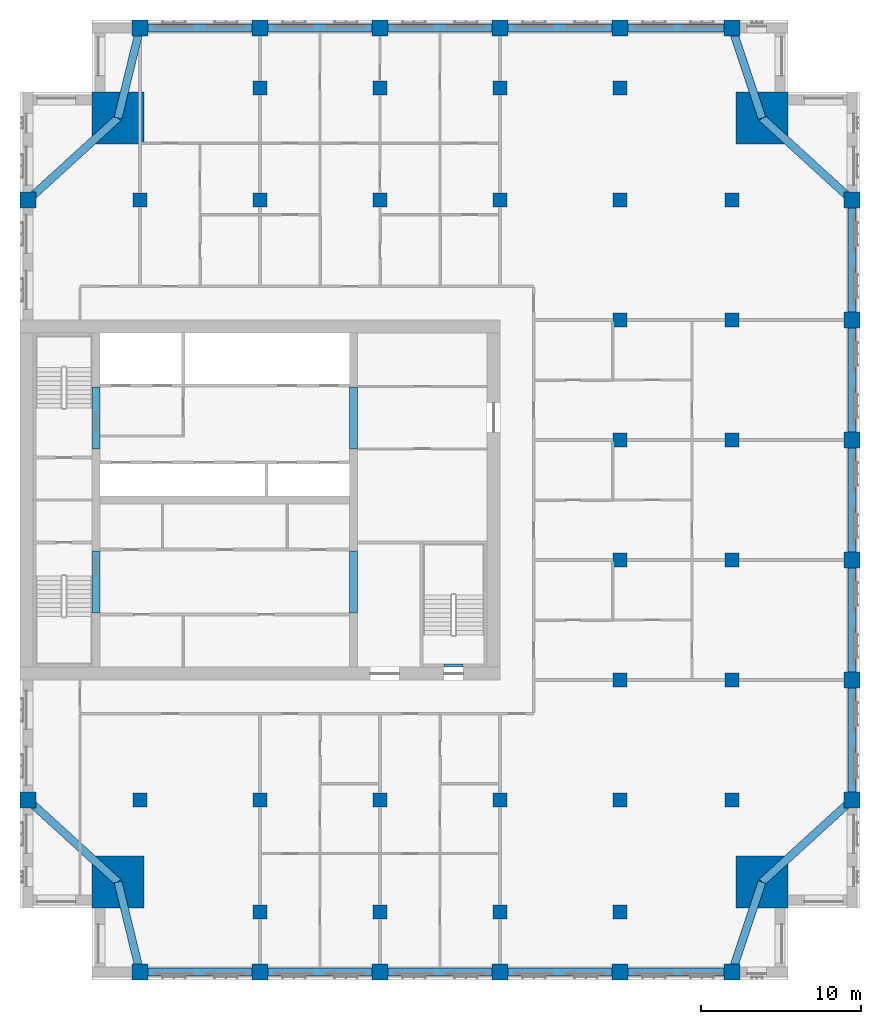
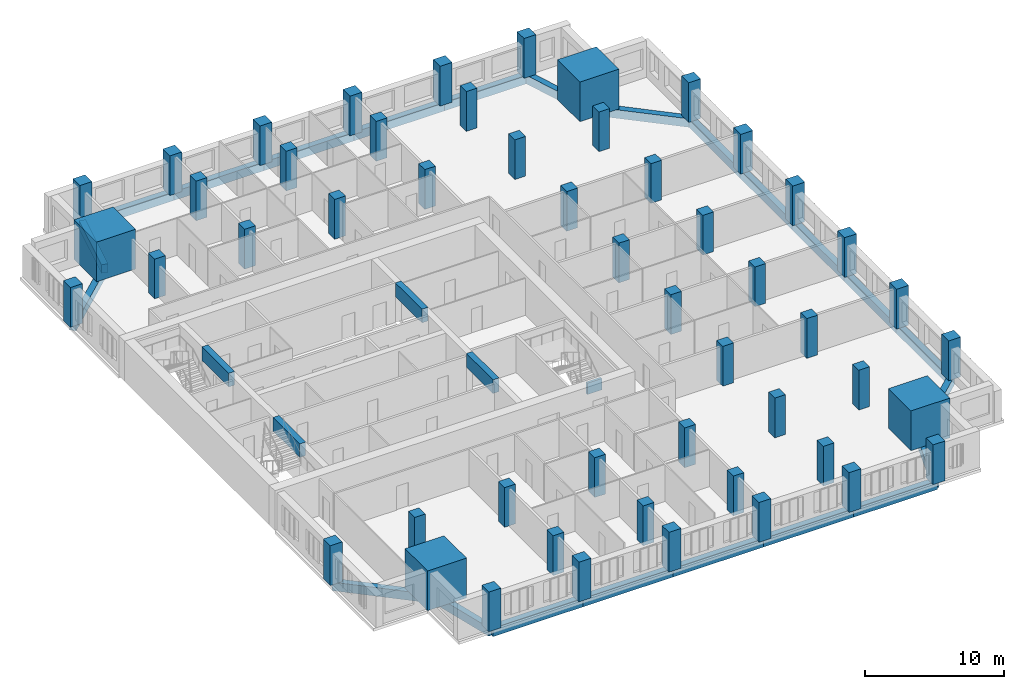
# One storey, part 1 of 14: 52 columns, 28 beams.
"""IFC4 building model written with IfcOpenShell, lengths in metres."""

from ifc_helpers import new_model, si_unit, direction, frame, origin, origin_2d, place, context, subcontext, project, spatial, rectangle, extrude, material, material_profile, profile_set, type_object, element, save


model = new_model("IFC4")

# Units and contexts
model_context = context("Model", 3, precision=1e-05, world=origin(), true_north=direction((0.0, 1.0)))
body_context = subcontext(model_context, "Body", "Model", "MODEL_VIEW")
ifc_project = project(units=[si_unit("LENGTHUNIT", "METRE"), si_unit("AREAUNIT", "SQUARE_METRE"), si_unit("VOLUMEUNIT", "CUBIC_METRE"), si_unit("PLANEANGLEUNIT", "RADIAN"), si_unit("MASSUNIT", "GRAM", prefix="KILO")], contexts=[model_context])

# Site, building, storey
site_placement = place(None, origin())
site = spatial("IfcSite", under=ifc_project, at=site_placement, CompositionType="ELEMENT")
building_placement = place(site_placement, origin())
building = spatial("IfcBuilding", under=site, at=building_placement, Name="Tamorin Gate", CompositionType="ELEMENT")
storey_placement = place(building_placement, frame((0.0, 0.0, 189.699951171875)))
storey = spatial("IfcBuildingStorey", under=building, at=storey_placement, Name="L46", CompositionType="ELEMENT", Elevation=189.699951171875)

# Columns
ifc_material_1 = material(Name="Concrete C60/75", Category="concrete")
ifc_material_profile_1 = material_profile(ifc_material_1, rectangle(XDim=1.0, YDim=1.0, at=origin_2d()), Name="RC 1000x1000")
ifc_profile_set_1 = profile_set([ifc_material_profile_1], Name="Concrete C60/75")
column_type_1 = type_object("IfcColumnType", Name="RC column 1000x1000 C60/75", PredefinedType="COLUMN", material=ifc_profile_set_1)
for number, where, z_axis, x_axis, name in (
    (1, (37.5, 41.75, 0.0), (0.0, 0.0, 1.0), (1.0, 0.0, 0.0), "Ring column L46"),
    (2, (45.0, 41.75, 0.0), (0.0, 0.0, 1.0), (1.0, 0.0, 0.0), "Ring column L46"),
    (3, (52.5, 41.75, 0.0), (0.0, 0.0, 1.0), (1.0, 0.0, 0.0), "Ring column L46"),
    (4, (60.0, 41.75, 0.0), (0.0, 0.0, 1.0), (1.0, 0.0, 0.0), "Ring column L46"),
    (5, (67.5, 41.75, 0.0), (0.0, 0.0, 1.0), (1.0, 0.0, 0.0), "Ring column L46"),
    (6, (74.5, 41.75, 0.0), (0.0, 0.0, 1.0), (1.0, 0.0, 0.0), "Ring column L46"),
    (7, (37.5, 100.75, 0.0), (0.0, 0.0, 1.0), (1.0, 0.0, 0.0), "Ring column L46"),
    (8, (45.0, 100.75, 0.0), (0.0, 0.0, 1.0), (1.0, 0.0, 0.0), "Ring column L46"),
    (9, (52.5, 100.75, 0.0), (0.0, 0.0, 1.0), (1.0, 0.0, 0.0), "Ring column L46"),
    (10, (60.0, 100.75, 0.0), (0.0, 0.0, 1.0), (1.0, 0.0, 0.0), "Ring column L46"),
    (11, (67.5, 100.75, 0.0), (0.0, 0.0, 1.0), (1.0, 0.0, 0.0), "Ring column L46"),
    (12, (74.5, 100.75, 0.0), (0.0, 0.0, 1.0), (1.0, 0.0, 0.0), "Ring column L46"),
    (13, (30.5, 52.5, 0.0), (0.0, 0.0, 1.0), (1.0, 0.0, 0.0), "Ring column L46"),
    (14, (30.5, 90.0, 0.0), (0.0, 0.0, 1.0), (1.0, 0.0, 0.0), "Ring column L46"),
    (15, (82.0, 52.5, 0.0), (0.0, 0.0, 1.0), (1.0, 0.0, 0.0), "Ring column L46"),
    (16, (82.0, 60.0, 0.0), (0.0, 0.0, 1.0), (1.0, 0.0, 0.0), "Ring column L46"),
    (17, (82.0, 67.5, 0.0), (0.0, 0.0, 1.0), (1.0, 0.0, 0.0), "Ring column L46"),
    (18, (82.0, 75.0, 0.0), (0.0, 0.0, 1.0), (1.0, 0.0, 0.0), "Ring column L46"),
    (19, (82.0, 82.5, 0.0), (0.0, 0.0, 1.0), (1.0, 0.0, 0.0), "Ring column L46"),
    (20, (82.0, 90.0, 0.0), (0.0, 0.0, 1.0), (1.0, 0.0, 0.0), "Ring column L46"),
):
    element("IfcColumn", number, at=place(storey_placement, frame(where, z_axis=z_axis, x_axis=x_axis)), inside=storey, type_object=column_type_1, Name=name, PredefinedType="COLUMN", context=body_context, shape_type="SweptSolid", body=[
        extrude(rectangle(XDim=1.0, YDim=1.0, at=origin_2d()), origin(), (0.0, 0.0, 1.0), 3.5),
    ])
ifc_material_profile_2 = material_profile(ifc_material_1, rectangle(XDim=3.25, YDim=3.25, at=origin_2d()), Name="RC 3250x3250")
ifc_profile_set_2 = profile_set([ifc_material_profile_2], Name="Concrete C60/75")
column_type_2 = type_object("IfcColumnType", Name="RC column 3250x3250 C60/75", PredefinedType="COLUMN", material=ifc_profile_set_2)
for number, where, z_axis, x_axis, name in (
    (21, (36.125, 47.375, 0.0), (0.0, 0.0, 1.0), (1.0, 0.0, 0.0), "Mega column SW L46"),
    (22, (76.375, 47.375, 0.0), (0.0, 0.0, 1.0), (1.0, 0.0, 0.0), "Mega column SE L46"),
    (23, (36.125, 95.125, 0.0), (0.0, 0.0, 1.0), (1.0, 0.0, 0.0), "Mega column NW L46"),
    (24, (76.375, 95.125, 0.0), (0.0, 0.0, 1.0), (1.0, 0.0, 0.0), "Mega column NE L46"),
):
    element("IfcColumn", number, at=place(storey_placement, frame(where, z_axis=z_axis, x_axis=x_axis)), inside=storey, type_object=column_type_2, Name=name, PredefinedType="COLUMN", context=body_context, shape_type="SweptSolid", body=[
        extrude(rectangle(XDim=3.25, YDim=3.25, at=origin_2d()), origin(), (0.0, 0.0, 1.0), 3.5),
    ])
ifc_material_profile_3 = material_profile(ifc_material_1, rectangle(XDim=0.89990234375, YDim=0.89990234375, at=origin_2d()), Name="RC 900x900")
ifc_profile_set_3 = profile_set([ifc_material_profile_3], Name="Concrete C60/75")
column_type_3 = type_object("IfcColumnType", Name="RC column 900x900 C60/75", PredefinedType="COLUMN", material=ifc_profile_set_3)
for number, where, z_axis, x_axis, name in (
    (25, (37.5, 52.5, 0.0), (0.0, 0.0, 1.0), (1.0, 0.0, 0.0), "Interior column L46"),
    (26, (37.5, 90.0, 0.0), (0.0, 0.0, 1.0), (1.0, 0.0, 0.0), "Interior column L46"),
    (27, (45.0, 45.5, 0.0), (0.0, 0.0, 1.0), (1.0, 0.0, 0.0), "Interior column L46"),
    (28, (45.0, 52.5, 0.0), (0.0, 0.0, 1.0), (1.0, 0.0, 0.0), "Interior column L46"),
    (29, (45.0, 90.0, 0.0), (0.0, 0.0, 1.0), (1.0, 0.0, 0.0), "Interior column L46"),
    (30, (45.0, 97.0, 0.0), (0.0, 0.0, 1.0), (1.0, 0.0, 0.0), "Interior column L46"),
    (31, (52.5, 45.5, 0.0), (0.0, 0.0, 1.0), (1.0, 0.0, 0.0), "Interior column L46"),
    (32, (52.5, 52.5, 0.0), (0.0, 0.0, 1.0), (1.0, 0.0, 0.0), "Interior column L46"),
    (33, (52.5, 90.0, 0.0), (0.0, 0.0, 1.0), (1.0, 0.0, 0.0), "Interior column L46"),
    (34, (52.5, 97.0, 0.0), (0.0, 0.0, 1.0), (1.0, 0.0, 0.0), "Interior column L46"),
    (35, (60.0, 45.5, 0.0), (0.0, 0.0, 1.0), (1.0, 0.0, 0.0), "Interior column L46"),
    (36, (60.0, 52.5, 0.0), (0.0, 0.0, 1.0), (1.0, 0.0, 0.0), "Interior column L46"),
    (37, (60.0, 90.0, 0.0), (0.0, 0.0, 1.0), (1.0, 0.0, 0.0), "Interior column L46"),
    (38, (60.0, 97.0, 0.0), (0.0, 0.0, 1.0), (1.0, 0.0, 0.0), "Interior column L46"),
    (39, (67.5, 45.5, 0.0), (0.0, 0.0, 1.0), (1.0, 0.0, 0.0), "Interior column L46"),
    (40, (67.5, 52.5, 0.0), (0.0, 0.0, 1.0), (1.0, 0.0, 0.0), "Interior column L46"),
    (41, (67.5, 60.0, 0.0), (0.0, 0.0, 1.0), (1.0, 0.0, 0.0), "Interior column L46"),
    (42, (67.5, 67.5, 0.0), (0.0, 0.0, 1.0), (1.0, 0.0, 0.0), "Interior column L46"),
    (43, (67.5, 75.0, 0.0), (0.0, 0.0, 1.0), (1.0, 0.0, 0.0), "Interior column L46"),
    (44, (67.5, 82.5, 0.0), (0.0, 0.0, 1.0), (1.0, 0.0, 0.0), "Interior column L46"),
    (45, (67.5, 90.0, 0.0), (0.0, 0.0, 1.0), (1.0, 0.0, 0.0), "Interior column L46"),
    (46, (67.5, 97.0, 0.0), (0.0, 0.0, 1.0), (1.0, 0.0, 0.0), "Interior column L46"),
    (47, (74.5, 52.5, 0.0), (0.0, 0.0, 1.0), (1.0, 0.0, 0.0), "Interior column L46"),
    (48, (74.5, 60.0, 0.0), (0.0, 0.0, 1.0), (1.0, 0.0, 0.0), "Interior column L46"),
    (49, (74.5, 67.5, 0.0), (0.0, 0.0, 1.0), (1.0, 0.0, 0.0), "Interior column L46"),
    (50, (74.5, 75.0, 0.0), (0.0, 0.0, 1.0), (1.0, 0.0, 0.0), "Interior column L46"),
    (51, (74.5, 82.5, 0.0), (0.0, 0.0, 1.0), (1.0, 0.0, 0.0), "Interior column L46"),
    (52, (74.5, 90.0, 0.0), (0.0, 0.0, 1.0), (1.0, 0.0, 0.0), "Interior column L46"),
):
    element("IfcColumn", number, at=place(storey_placement, frame(where, z_axis=z_axis, x_axis=x_axis)), inside=storey, type_object=column_type_3, Name=name, PredefinedType="COLUMN", context=body_context, shape_type="SweptSolid", body=[
        extrude(rectangle(XDim=0.89990234375, YDim=0.89990234375, at=origin_2d()), origin(), (0.0, 0.0, 1.0), 3.5),
    ])

# Beams
ifc_material_profile_4 = material_profile(ifc_material_1, rectangle(XDim=0.5, YDim=1.199951171875, at=origin_2d()), Name="RC 500x1200")
ifc_profile_set_4 = profile_set([ifc_material_profile_4], Name="Concrete C60/75")
beam_type_1 = type_object("IfcBeamType", Name="RC coupling beam 500x1200 C60/75", PredefinedType="BEAM", material=ifc_profile_set_4)
for number, where, z_axis, x_axis, name in (
    (53, (34.75, 64.199951171875, 2.900146484375), (0.0, 1.0, 0.0), (-1.0, 0.0, 0.0), "Coupling beam L46"),
    (54, (34.75, 74.449951171875, 2.900146484375), (0.0, 1.0, 0.0), (-1.0, 0.0, 0.0), "Coupling beam L46"),
    (55, (50.85009765625, 64.199951171875, 2.900146484375), (0.0, 1.0, 0.0), (-1.0, 0.0, 0.0), "Coupling beam L46"),
    (56, (50.85009765625, 74.449951171875, 2.900146484375), (0.0, 1.0, 0.0), (-1.0, 0.0, 0.0), "Coupling beam L46"),
):
    element("IfcBeam", number, at=place(storey_placement, frame(where, z_axis=z_axis, x_axis=x_axis)), inside=storey, type_object=beam_type_1, Name=name, PredefinedType="BEAM", context=body_context, shape_type="SweptSolid", body=[
        extrude(rectangle(XDim=0.5, YDim=1.199951171875, at=origin_2d()), origin(), (0.0, 0.0, 1.0), 3.85009765625),
    ])
ifc_material_2 = material(Name="Concrete C50/60", Category="concrete")
ifc_material_profile_5 = material_profile(ifc_material_2, rectangle(XDim=0.5, YDim=0.75, at=origin_2d()), Name="RC 500x750")
ifc_profile_set_5 = profile_set([ifc_material_profile_5], Name="Concrete C50/60")
beam_type_2 = type_object("IfcBeamType", Name="RC spandrel 500x750 C50/60", PredefinedType="BEAM", material=ifc_profile_set_5)
for number, where, z_axis, x_axis, name in (
    (57, (37.5, 41.75, -0.375), (1.0, 0.0, 0.0), (0.0, 1.0, 0.0), "Spandrel beam L46"),
    (58, (45.0, 41.75, -0.375), (1.0, 0.0, 0.0), (0.0, 1.0, 0.0), "Spandrel beam L46"),
    (59, (52.5, 41.75, -0.375), (1.0, 0.0, 0.0), (0.0, 1.0, 0.0), "Spandrel beam L46"),
    (60, (60.0, 41.75, -0.375), (1.0, 0.0, 0.0), (0.0, 1.0, 0.0), "Spandrel beam L46"),
):
    element("IfcBeam", number, at=place(storey_placement, frame(where, z_axis=z_axis, x_axis=x_axis)), inside=storey, type_object=beam_type_2, Name=name, PredefinedType="BEAM", context=body_context, shape_type="SweptSolid", body=[
        extrude(rectangle(XDim=0.5, YDim=0.75, at=origin_2d()), origin(), (0.0, 0.0, 1.0), 7.5),
    ])
beam_1_placement = place(storey_placement, frame((67.5, 41.75, -0.375), z_axis=(1.0, 0.0, 0.0), x_axis=(0.0, 1.0, 0.0)))
element("IfcBeam", 61, at=beam_1_placement, inside=storey, type_object=beam_type_2, Name="Spandrel beam L46", PredefinedType="BEAM", context=body_context, shape_type="SweptSolid", body=[
    extrude(rectangle(XDim=0.5, YDim=0.75, at=origin_2d()), origin(), (0.0, 0.0, 1.0), 7.0),
])
for number, where, z_axis, x_axis, name in (
    (62, (82.0, 52.5, -0.375), (0.0, 1.0, 0.0), (-1.0, 0.0, 0.0), "Spandrel beam L46"),
    (63, (82.0, 60.0, -0.375), (0.0, 1.0, 0.0), (-1.0, 0.0, 0.0), "Spandrel beam L46"),
    (64, (82.0, 67.5, -0.375), (0.0, 1.0, 0.0), (-1.0, 0.0, 0.0), "Spandrel beam L46"),
    (65, (82.0, 75.0, -0.375), (0.0, 1.0, 0.0), (-1.0, 0.0, 0.0), "Spandrel beam L46"),
    (66, (82.0, 82.5, -0.375), (0.0, 1.0, 0.0), (-1.0, 0.0, 0.0), "Spandrel beam L46"),
):
    element("IfcBeam", number, at=place(storey_placement, frame(where, z_axis=z_axis, x_axis=x_axis)), inside=storey, type_object=beam_type_2, Name=name, PredefinedType="BEAM", context=body_context, shape_type="SweptSolid", body=[
        extrude(rectangle(XDim=0.5, YDim=0.75, at=origin_2d()), origin(), (0.0, 0.0, 1.0), 7.5),
    ])
beam_2_placement = place(storey_placement, frame((74.5, 100.75, -0.375), z_axis=(-1.0, 0.0, 0.0), x_axis=(0.0, -1.0, 0.0)))
element("IfcBeam", 67, at=beam_2_placement, inside=storey, type_object=beam_type_2, Name="Spandrel beam L46", PredefinedType="BEAM", context=body_context, shape_type="SweptSolid", body=[
    extrude(rectangle(XDim=0.5, YDim=0.75, at=origin_2d()), origin(), (0.0, 0.0, 1.0), 7.0),
])
for number, where, z_axis, x_axis, name in (
    (68, (67.5, 100.75, -0.375), (-1.0, 0.0, 0.0), (0.0, -1.0, 0.0), "Spandrel beam L46"),
    (69, (60.0, 100.75, -0.375), (-1.0, 0.0, 0.0), (0.0, -1.0, 0.0), "Spandrel beam L46"),
    (70, (52.5, 100.75, -0.375), (-1.0, 0.0, 0.0), (0.0, -1.0, 0.0), "Spandrel beam L46"),
    (71, (45.0, 100.75, -0.375), (-1.0, 0.0, 0.0), (0.0, -1.0, 0.0), "Spandrel beam L46"),
):
    element("IfcBeam", number, at=place(storey_placement, frame(where, z_axis=z_axis, x_axis=x_axis)), inside=storey, type_object=beam_type_2, Name=name, PredefinedType="BEAM", context=body_context, shape_type="SweptSolid", body=[
        extrude(rectangle(XDim=0.5, YDim=0.75, at=origin_2d()), origin(), (0.0, 0.0, 1.0), 7.5),
    ])
beam_3_placement = place(storey_placement, frame((36.125, 47.375, -0.375), z_axis=(0.237453090477, -0.971399006497, 0.0), x_axis=(0.971399006497, 0.237453090477, 0.0)))
element("IfcBeam", 72, at=beam_3_placement, inside=storey, type_object=beam_type_2, Name="Corner tie beam L46", PredefinedType="BEAM", context=body_context, shape_type="SweptSolid", body=[
    extrude(rectangle(XDim=0.5, YDim=0.75, at=origin_2d()), origin(), (0.0, 0.0, 1.0), 5.79052734375),
])
beam_4_placement = place(storey_placement, frame((36.125, 47.375, -0.375), z_axis=(-0.739196337275, 0.673489996184, 0.0), x_axis=(-0.673489996184, -0.739196337275, 0.0)))
element("IfcBeam", 73, at=beam_4_placement, inside=storey, type_object=beam_type_2, Name="Corner tie beam L46", PredefinedType="BEAM", context=body_context, shape_type="SweptSolid", body=[
    extrude(rectangle(XDim=0.5, YDim=0.75, at=origin_2d()), origin(), (0.0, 0.0, 1.0), 7.609619140625),
])
beam_5_placement = place(storey_placement, frame((76.375, 47.375, -0.375), z_axis=(-0.316227766017, -0.948683298051, 0.0), x_axis=(0.948683298051, -0.316227766017, 0.0)))
element("IfcBeam", 74, at=beam_5_placement, inside=storey, type_object=beam_type_2, Name="Corner tie beam L46", PredefinedType="BEAM", context=body_context, shape_type="SweptSolid", body=[
    extrude(rectangle(XDim=0.5, YDim=0.75, at=origin_2d()), origin(), (0.0, 0.0, 1.0), 5.92919921875),
])
beam_6_placement = place(storey_placement, frame((76.375, 47.375, -0.375), z_axis=(0.739196337275, 0.673489996184, 0.0), x_axis=(-0.673489996184, 0.739196337275, 0.0)))
element("IfcBeam", 75, at=beam_6_placement, inside=storey, type_object=beam_type_2, Name="Corner tie beam L46", PredefinedType="BEAM", context=body_context, shape_type="SweptSolid", body=[
    extrude(rectangle(XDim=0.5, YDim=0.75, at=origin_2d()), origin(), (0.0, 0.0, 1.0), 7.609619140625),
])
beam_7_placement = place(storey_placement, frame((36.125, 95.125, -0.375), z_axis=(0.237453090477, 0.971399006497, 0.0), x_axis=(-0.971399006497, 0.237453090477, 0.0)))
element("IfcBeam", 76, at=beam_7_placement, inside=storey, type_object=beam_type_2, Name="Corner tie beam L46", PredefinedType="BEAM", context=body_context, shape_type="SweptSolid", body=[
    extrude(rectangle(XDim=0.5, YDim=0.75, at=origin_2d()), origin(), (0.0, 0.0, 1.0), 5.79052734375),
])
beam_8_placement = place(storey_placement, frame((36.125, 95.125, -0.375), z_axis=(-0.739196337275, -0.673489996184, 0.0), x_axis=(0.673489996184, -0.739196337275, 0.0)))
element("IfcBeam", 77, at=beam_8_placement, inside=storey, type_object=beam_type_2, Name="Corner tie beam L46", PredefinedType="BEAM", context=body_context, shape_type="SweptSolid", body=[
    extrude(rectangle(XDim=0.5, YDim=0.75, at=origin_2d()), origin(), (0.0, 0.0, 1.0), 7.609619140625),
])
beam_9_placement = place(storey_placement, frame((76.375, 95.125, -0.375), z_axis=(-0.316227766017, 0.948683298051, 0.0), x_axis=(-0.948683298051, -0.316227766017, 0.0)))
element("IfcBeam", 78, at=beam_9_placement, inside=storey, type_object=beam_type_2, Name="Corner tie beam L46", PredefinedType="BEAM", context=body_context, shape_type="SweptSolid", body=[
    extrude(rectangle(XDim=0.5, YDim=0.75, at=origin_2d()), origin(), (0.0, 0.0, 1.0), 5.92919921875),
])
beam_10_placement = place(storey_placement, frame((76.375, 95.125, -0.375), z_axis=(0.739196337275, -0.673489996184, 0.0), x_axis=(0.673489996184, 0.739196337275, 0.0)))
element("IfcBeam", 79, at=beam_10_placement, inside=storey, type_object=beam_type_2, Name="Corner tie beam L46", PredefinedType="BEAM", context=body_context, shape_type="SweptSolid", body=[
    extrude(rectangle(XDim=0.5, YDim=0.75, at=origin_2d()), origin(), (0.0, 0.0, 1.0), 7.609619140625),
])
ifc_material_profile_6 = material_profile(ifc_material_1, rectangle(XDim=0.199951171875, YDim=1.0, at=origin_2d()))
ifc_profile_set_6 = profile_set([ifc_material_profile_6], Name="Concrete C60/75")
beam_type_3 = type_object("IfcBeamType", Name="Stair lintel 200x1000 C60/75", PredefinedType="BEAM", material=ifc_profile_set_6)
beam_11_placement = place(storey_placement, frame((56.5, 60.89990234375, 2.699951171875), z_axis=(1.0, 0.0, 0.0), x_axis=(0.0, 1.0, 0.0)))
element("IfcBeam", 80, at=beam_11_placement, inside=storey, type_object=beam_type_3, Name="Stair lintel", PredefinedType="BEAM", context=body_context, shape_type="SweptSolid", body=[
    extrude(rectangle(XDim=0.199951171875, YDim=1.0, at=origin_2d()), origin(), (0.0, 0.0, 1.0), 1.199951171875),
])

save(model, "model.ifc")
